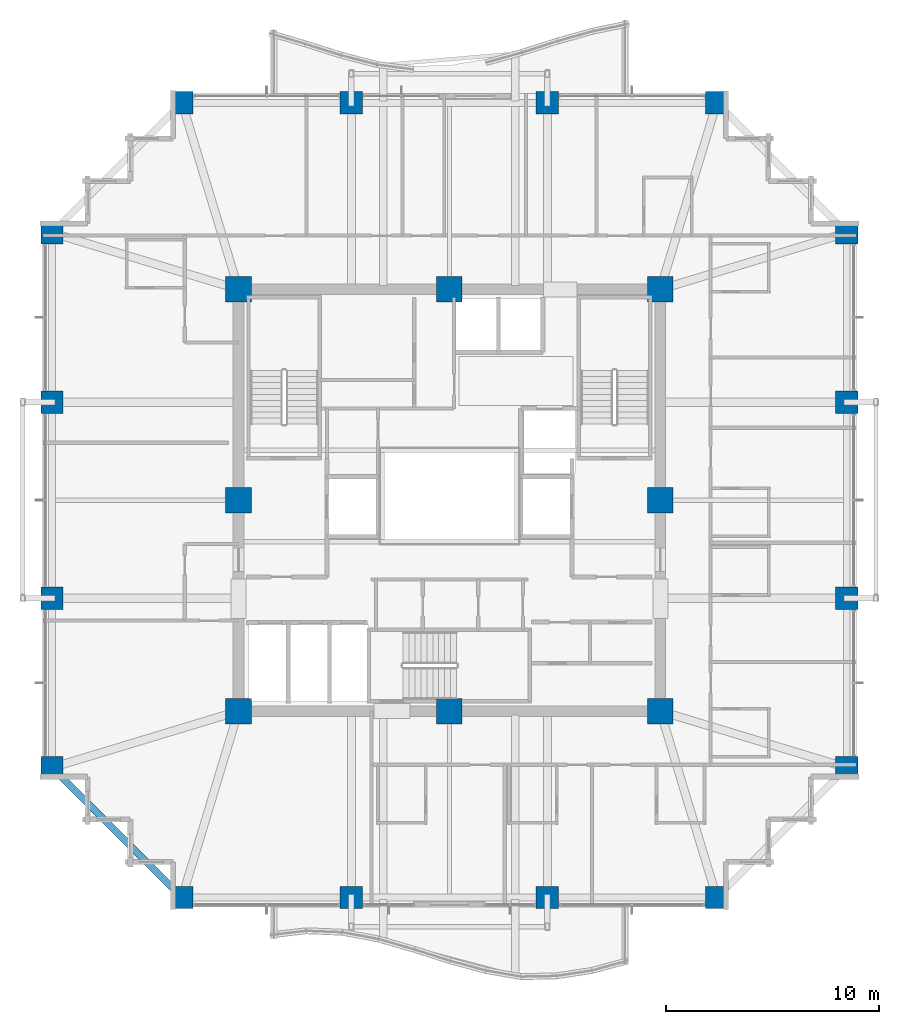
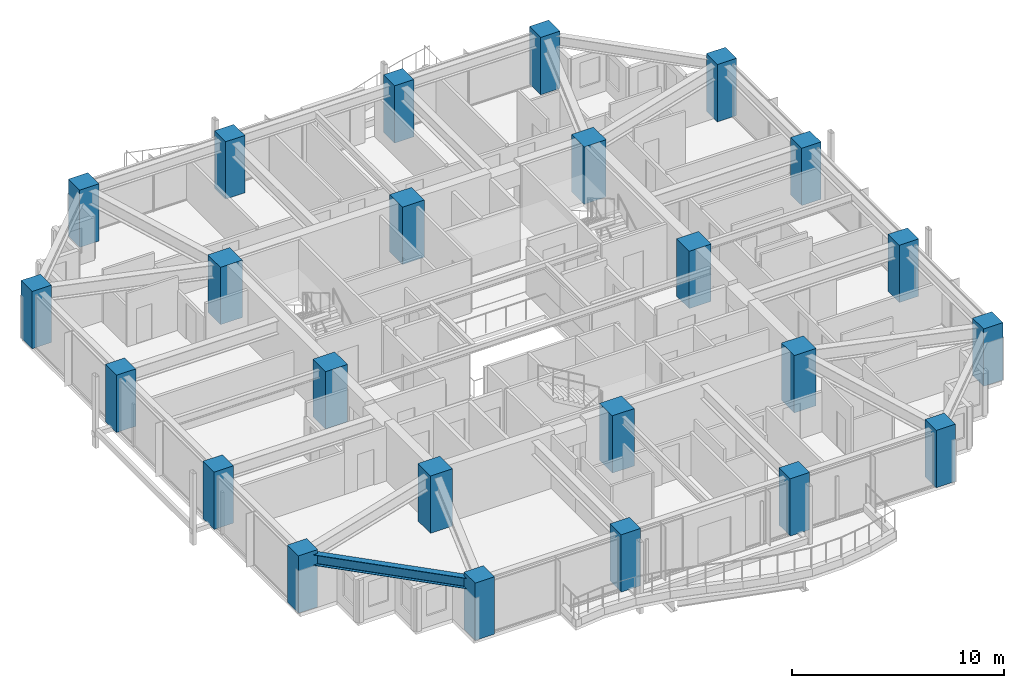
# One storey, part 1 of 34: 24 columns, 1 beam.
"""IFC4 building model written with IfcOpenShell, lengths in metres."""

from ifc_helpers import new_model, si_unit, direction, frame, origin, origin_2d, place, context, subcontext, project, spatial, rectangle, i_section, extrude, material, material_profile, profile_set, type_object, element, save


model = new_model("IFC4")

# Units and contexts
model_context = context("Model", 3, precision=1e-05, world=origin(), true_north=direction((0.0, 1.0)))
body_context = subcontext(model_context, "Body", "Model", "MODEL_VIEW")
ifc_project = project(units=[si_unit("LENGTHUNIT", "METRE"), si_unit("AREAUNIT", "SQUARE_METRE"), si_unit("VOLUMEUNIT", "CUBIC_METRE"), si_unit("PLANEANGLEUNIT", "RADIAN"), si_unit("MASSUNIT", "GRAM", prefix="KILO")], contexts=[model_context])

# Site, building, storey
site_placement = place(None, origin())
site = spatial("IfcSite", under=ifc_project, at=site_placement, CompositionType="ELEMENT")
building_placement = place(site_placement, origin())
building = spatial("IfcBuilding", under=site, at=building_placement, Name="Kolvaren Belvedere", CompositionType="ELEMENT")
storey_placement = place(building_placement, frame((0.0, 0.0, 111.800048828125)))
storey = spatial("IfcBuildingStorey", under=building, at=storey_placement, Name="L32", CompositionType="ELEMENT", Elevation=111.800048828125)

# Columns
ifc_material_1 = material(Name="Concrete C50/60", Category="concrete")
ifc_material_profile_1 = material_profile(ifc_material_1, rectangle(XDim=1.050048828125, YDim=1.050048828125, at=origin_2d()), Name="RC 1050X1050")
ifc_profile_set_1 = profile_set([ifc_material_profile_1], Name="Concrete C50/60")
column_type_1 = type_object("IfcColumnType", Name="COL-RC-1050", PredefinedType="COLUMN", material=ifc_profile_set_1)
for number, where, z_axis, x_axis, name in (
    (1, (-12.550048828125, -18.64990234375, 0.0), (0.0, 0.0, 1.0), (1.0, 0.0, 0.0), "L32 Perimeter Column S1"),
    (2, (-4.60009765625, -18.64990234375, 0.0), (0.0, 0.0, 1.0), (1.0, 0.0, 0.0), "L32 Perimeter Column S2"),
    (3, (4.60009765625, -18.64990234375, 0.0), (0.0, 0.0, 1.0), (1.0, 0.0, 0.0), "L32 Perimeter Column S3"),
    (4, (12.550048828125, -18.64990234375, 0.0), (0.0, 0.0, 1.0), (1.0, 0.0, 0.0), "L32 Perimeter Column S4"),
    (5, (-12.550048828125, 18.64990234375, 0.0), (0.0, 0.0, 1.0), (1.0, 0.0, 0.0), "L32 Perimeter Column N1"),
    (6, (-4.60009765625, 18.64990234375, 0.0), (0.0, 0.0, 1.0), (1.0, 0.0, 0.0), "L32 Perimeter Column N2"),
    (7, (4.60009765625, 18.64990234375, 0.0), (0.0, 0.0, 1.0), (1.0, 0.0, 0.0), "L32 Perimeter Column N3"),
    (8, (12.550048828125, 18.64990234375, 0.0), (0.0, 0.0, 1.0), (1.0, 0.0, 0.0), "L32 Perimeter Column N4"),
    (9, (-18.64990234375, -12.550048828125, 0.0), (0.0, 0.0, 1.0), (1.0, 0.0, 0.0), "L32 Perimeter Column W1"),
    (10, (-18.64990234375, -4.60009765625, 0.0), (0.0, 0.0, 1.0), (1.0, 0.0, 0.0), "L32 Perimeter Column W2"),
    (11, (-18.64990234375, 4.60009765625, 0.0), (0.0, 0.0, 1.0), (1.0, 0.0, 0.0), "L32 Perimeter Column W3"),
    (12, (-18.64990234375, 12.550048828125, 0.0), (0.0, 0.0, 1.0), (1.0, 0.0, 0.0), "L32 Perimeter Column W4"),
    (13, (18.64990234375, -12.550048828125, 0.0), (0.0, 0.0, 1.0), (1.0, 0.0, 0.0), "L32 Perimeter Column E1"),
    (14, (18.64990234375, -4.60009765625, 0.0), (0.0, 0.0, 1.0), (1.0, 0.0, 0.0), "L32 Perimeter Column E2"),
    (15, (18.64990234375, 4.60009765625, 0.0), (0.0, 0.0, 1.0), (1.0, 0.0, 0.0), "L32 Perimeter Column E3"),
    (16, (18.64990234375, 12.550048828125, 0.0), (0.0, 0.0, 1.0), (1.0, 0.0, 0.0), "L32 Perimeter Column E4"),
):
    element("IfcColumn", number, at=place(storey_placement, frame(where, z_axis=z_axis, x_axis=x_axis)), inside=storey, type_object=column_type_1, Name=name, PredefinedType="COLUMN", context=body_context, shape_type="SweptSolid", body=[
        extrude(rectangle(XDim=1.050048828125, YDim=1.050048828125, at=origin_2d()), origin(), (0.0, 0.0, 1.0), 3.300048828125),
    ])
ifc_material_2 = material(Name="Concrete C60/75", Category="concrete")
ifc_material_profile_2 = material_profile(ifc_material_2, rectangle(XDim=1.199951171875, YDim=1.199951171875, at=origin_2d()), Name="RC 1200X1200")
ifc_profile_set_2 = profile_set([ifc_material_profile_2], Name="Concrete C60/75")
column_type_2 = type_object("IfcColumnType", Name="COL-RC-1200", PredefinedType="COLUMN", material=ifc_profile_set_2)
for number, where, z_axis, x_axis, name in (
    (17, (-9.89990234375, -9.89990234375, 0.0), (0.0, 0.0, 1.0), (1.0, 0.0, 0.0), "L32 Core Column CC1"),
    (18, (9.89990234375, -9.89990234375, 0.0), (0.0, 0.0, 1.0), (1.0, 0.0, 0.0), "L32 Core Column CC2"),
    (19, (9.89990234375, 9.89990234375, 0.0), (0.0, 0.0, 1.0), (1.0, 0.0, 0.0), "L32 Core Column CC3"),
    (20, (-9.89990234375, 9.89990234375, 0.0), (0.0, 0.0, 1.0), (1.0, 0.0, 0.0), "L32 Core Column CC4"),
    (21, (0.0, -9.89990234375, 0.0), (0.0, 0.0, 1.0), (1.0, 0.0, 0.0), "L32 Core Column CM1"),
    (22, (9.89990234375, 0.0, 0.0), (0.0, 0.0, 1.0), (1.0, 0.0, 0.0), "L32 Core Column CM2"),
    (23, (0.0, 9.89990234375, 0.0), (0.0, 0.0, 1.0), (1.0, 0.0, 0.0), "L32 Core Column CM3"),
    (24, (-9.89990234375, 0.0, 0.0), (0.0, 0.0, 1.0), (1.0, 0.0, 0.0), "L32 Core Column CM4"),
):
    element("IfcColumn", number, at=place(storey_placement, frame(where, z_axis=z_axis, x_axis=x_axis)), inside=storey, type_object=column_type_2, Name=name, PredefinedType="COLUMN", context=body_context, shape_type="SweptSolid", body=[
        extrude(rectangle(XDim=1.199951171875, YDim=1.199951171875, at=origin_2d()), origin(), (0.0, 0.0, 1.0), 3.300048828125),
    ])

# Beam
ifc_material_3 = material(Name="Structural steel ASTM A992 Grade 50", Category="steel")
ifc_material_profile_3 = material_profile(ifc_material_3, i_section(OverallWidth=0.324951171875, OverallDepth=0.615966796875, WebThickness=0.013916015625, FlangeThickness=0.021484375, FilletRadius=0.02001953125, at=origin_2d()), Name="W24X117")
ifc_profile_set_3 = profile_set([ifc_material_profile_3], Name="Structural steel ASTM A992 Grade 50")
beam_type = type_object("IfcBeamType", Name="BM-SPAN-W24X117", PredefinedType="SPANDREL", material=ifc_profile_set_3)
beam_placement = place(storey_placement, frame((-18.48291015625, -12.717041015625, 2.77197265625), z_axis=(0.707106781187, -0.707106781187, 0.0), x_axis=(0.707106781187, 0.707106781187, 0.0)))
element("IfcBeam", 25, at=beam_placement, inside=storey, type_object=beam_type, Name="L32 Perimeter Spandrel W1-S1", PredefinedType="SPANDREL", context=body_context, shape_type="SweptSolid", body=[
    extrude(i_section(OverallWidth=0.324951171875, OverallDepth=0.615966796875, WebThickness=0.013916015625, FlangeThickness=0.021484375, FilletRadius=0.02001953125, at=origin_2d()), origin(), (0.0, 0.0, 1.0), 8.154052734375),
])

save(model, "model.ifc")
